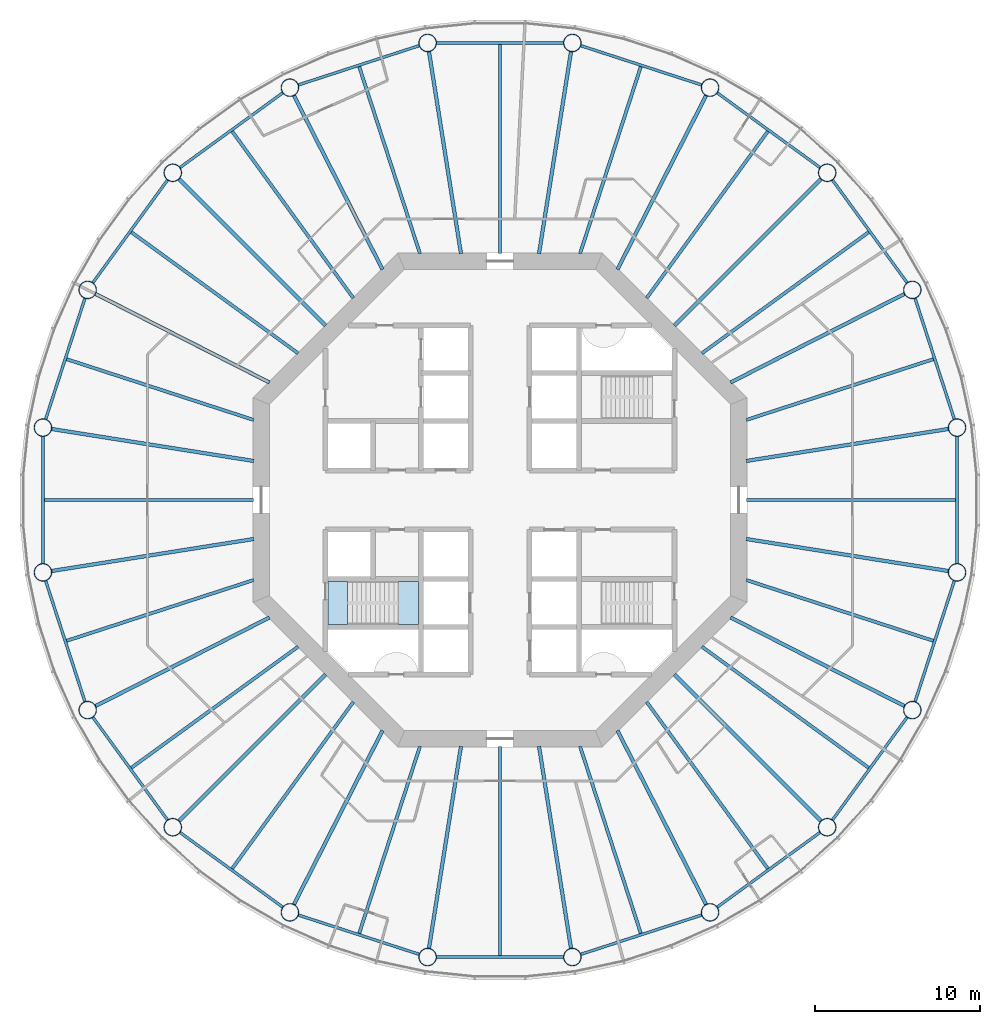
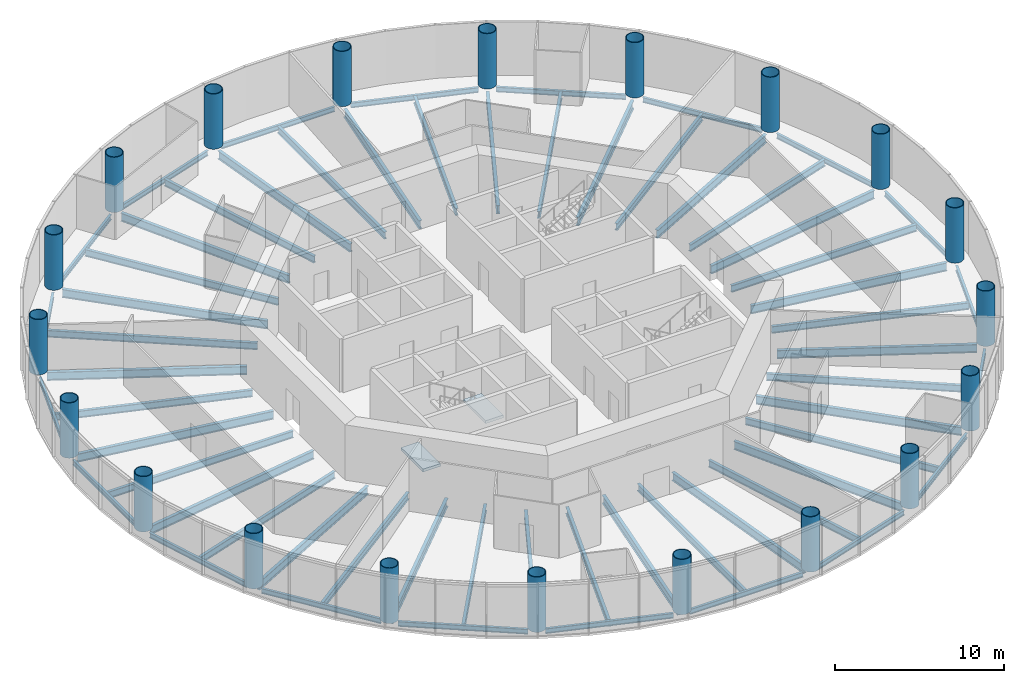
# One storey, part 1 of 13: 60 beams, 20 columns, 2 slabs, 1 element without a shape of its own.
"""IFC4 building model written with IfcOpenShell, lengths in metres."""

from ifc_helpers import new_model, si_unit, direction, frame, origin, origin_2d, place, context, subcontext, project, spatial, polyline, circle, hollow_circle, i_section, outline, extrude, material, layer, layer_set, material_profile, profile_set, type_object, element, aggregate, save


model = new_model("IFC4")

# Units and contexts
model_context = context("Model", 3, precision=1e-05, world=origin(), true_north=direction((0.0, 1.0)))
body_context = subcontext(model_context, "Body", "Model", "MODEL_VIEW")
ifc_project = project(units=[si_unit("LENGTHUNIT", "METRE"), si_unit("AREAUNIT", "SQUARE_METRE"), si_unit("VOLUMEUNIT", "CUBIC_METRE"), si_unit("PLANEANGLEUNIT", "RADIAN"), si_unit("MASSUNIT", "GRAM", prefix="KILO")], contexts=[model_context])

# Site, building, storey
site_placement = place(None, origin())
site = spatial("IfcSite", under=ifc_project, at=site_placement, CompositionType="ELEMENT")
building_placement = place(site_placement, origin())
building = spatial("IfcBuilding", under=site, at=building_placement, Name="Entoto Ring Tower", CompositionType="ELEMENT")
storey_placement = place(building_placement, frame((0.0, 0.0, 168.0)))
storey = spatial("IfcBuildingStorey", under=building, at=storey_placement, Name="L38", CompositionType="ELEMENT", Elevation=168.0)

# Columns
ifc_material_1 = material(Name="Steel S355", Category="steel")
ifc_material_profile_1 = material_profile(ifc_material_1, hollow_circle(Radius=0.550048828125, WallThickness=0.050048828125, at=origin_2d()), Name="CHS 1100 x 50")
ifc_material_2 = material(Name="Concrete C60/75", Category="concrete")
ifc_material_profile_2 = material_profile(ifc_material_2, circle(Radius=0.5, at=origin_2d()), Name="Concrete C60/75 infill")
ifc_profile_set_1 = profile_set([ifc_material_profile_1, ifc_material_profile_2], Name="Steel S355")
column_type = type_object("IfcColumnType", Name="Ring column 1100 x 50 concrete-filled tube", PredefinedType="COLUMN", material=ifc_profile_set_1)
for number, where, z_axis, x_axis, name in (
    (1, (117.754150390625, 84.395751953125, 0.0), (0.0, 0.0, 1.0), (1.0, 0.0, 0.0), "RC3 R01"),
    (2, (115.037353515625, 92.757080078125, 0.0), (0.0, 0.0, 1.0), (1.0, 0.0, 0.0), "RC3 R02"),
    (3, (109.86962890625, 99.86962890625, 0.0), (0.0, 0.0, 1.0), (1.0, 0.0, 0.0), "RC3 R03"),
    (4, (102.757080078125, 105.037353515625, 0.0), (0.0, 0.0, 1.0), (1.0, 0.0, 0.0), "RC3 R04"),
    (5, (94.395751953125, 107.754150390625, 0.0), (0.0, 0.0, 1.0), (1.0, 0.0, 0.0), "RC3 R05"),
    (6, (85.604248046875, 107.754150390625, 0.0), (0.0, 0.0, 1.0), (1.0, 0.0, 0.0), "RC3 R06"),
    (7, (77.242919921875, 105.037353515625, 0.0), (0.0, 0.0, 1.0), (1.0, 0.0, 0.0), "RC3 R07"),
    (8, (70.13037109375, 99.86962890625, 0.0), (0.0, 0.0, 1.0), (1.0, 0.0, 0.0), "RC3 R08"),
    (9, (64.962646484375, 92.757080078125, 0.0), (0.0, 0.0, 1.0), (1.0, 0.0, 0.0), "RC3 R09"),
    (10, (62.245849609375, 84.395751953125, 0.0), (0.0, 0.0, 1.0), (1.0, 0.0, 0.0), "RC3 R10"),
    (11, (62.245849609375, 75.604248046875, 0.0), (0.0, 0.0, 1.0), (1.0, 0.0, 0.0), "RC3 R11"),
    (12, (64.962646484375, 67.242919921875, 0.0), (0.0, 0.0, 1.0), (1.0, 0.0, 0.0), "RC3 R12"),
    (13, (70.13037109375, 60.13037109375, 0.0), (0.0, 0.0, 1.0), (1.0, 0.0, 0.0), "RC3 R13"),
    (14, (77.242919921875, 54.962646484375, 0.0), (0.0, 0.0, 1.0), (1.0, 0.0, 0.0), "RC3 R14"),
    (15, (85.604248046875, 52.245849609375, 0.0), (0.0, 0.0, 1.0), (1.0, 0.0, 0.0), "RC3 R15"),
    (16, (94.395751953125, 52.245849609375, 0.0), (0.0, 0.0, 1.0), (1.0, 0.0, 0.0), "RC3 R16"),
    (17, (102.757080078125, 54.962646484375, 0.0), (0.0, 0.0, 1.0), (1.0, 0.0, 0.0), "RC3 R17"),
    (18, (109.86962890625, 60.13037109375, 0.0), (0.0, 0.0, 1.0), (1.0, 0.0, 0.0), "RC3 R18"),
    (19, (115.037353515625, 67.242919921875, 0.0), (0.0, 0.0, 1.0), (1.0, 0.0, 0.0), "RC3 R19"),
    (20, (117.754150390625, 75.604248046875, 0.0), (0.0, 0.0, 1.0), (1.0, 0.0, 0.0), "RC3 R20"),
):
    element("IfcColumn", number, at=place(storey_placement, frame(where, z_axis=z_axis, x_axis=x_axis)), inside=storey, type_object=column_type, Name=name, PredefinedType="COLUMN", context=body_context, shape_type="SweptSolid", body=[
        extrude(hollow_circle(Radius=0.550048828125, WallThickness=0.050048828125, at=origin_2d()), origin(), (0.0, 0.0, 1.0), 4.0),
    ])

# Beams
ifc_material_3 = material(Name="Steel S355", Category="steel")
ifc_material_profile_3 = material_profile(ifc_material_3, i_section(OverallWidth=0.169921875, OverallDepth=0.360107421875, WebThickness=0.008056640625, FlangeThickness=0.0126953125, FilletRadius=0.01806640625, at=origin_2d()), Name="IPE 360")
ifc_profile_set_2 = profile_set([ifc_material_profile_3], Name="Steel S355")
beam_type_1 = type_object("IfcBeamType", Name="Edge beam IPE 360", PredefinedType="SPANDREL", material=ifc_profile_set_2)
for number, where, z_axis, x_axis, name in (
    (21, (117.59228515625, 84.8935546875, -0.330078125), (-0.309012656105, 0.951057925874, 0.0), (-0.951057925874, -0.309012656105, 0.0), "Edge beam L38 01"),
    (22, (114.729736328125, 93.180419921875, -0.330078125), (-0.587791153253, 0.809012707043, 0.0), (-0.809012707043, -0.587791153253, 0.0), "Edge beam L38 02"),
    (23, (109.4462890625, 100.17724609375, -0.330078125), (-0.809012707043, 0.587791153253, 0.0), (-0.587791153253, -0.809012707043, 0.0), "Edge beam L38 03"),
    (24, (102.259521484375, 105.198974609375, -0.330078125), (-0.951057925874, 0.309012656105, 0.0), (-0.309012656105, -0.951057925874, 0.0), "Edge beam L38 04"),
    (25, (93.87255859375, 107.754150390625, -0.330078125), (-1.0, 0.0, 0.0), (0.0, -1.0, 0.0), "Edge beam L38 05"),
    (26, (85.1064453125, 107.59228515625, -0.330078125), (-0.951057925874, -0.309012656105, 0.0), (0.309012656105, -0.951057925874, 0.0), "Edge beam L38 06"),
    (27, (76.819580078125, 104.729736328125, -0.330078125), (-0.809012707043, -0.587791153253, 0.0), (0.587791153253, -0.809012707043, 0.0), "Edge beam L38 07"),
    (28, (69.82275390625, 99.4462890625, -0.330078125), (-0.587791153253, -0.809012707043, 0.0), (0.809012707043, -0.587791153253, 0.0), "Edge beam L38 08"),
    (29, (64.801025390625, 92.259521484375, -0.330078125), (-0.309012656105, -0.951057925874, 0.0), (0.951057925874, -0.309012656105, 0.0), "Edge beam L38 09"),
    (30, (62.245849609375, 83.87255859375, -0.330078125), (0.0, -1.0, 0.0), (1.0, 0.0, 0.0), "Edge beam L38 10"),
    (31, (62.40771484375, 75.1064453125, -0.330078125), (0.309012656105, -0.951057925874, 0.0), (0.951057925874, 0.309012656105, 0.0), "Edge beam L38 11"),
    (32, (65.270263671875, 66.819580078125, -0.330078125), (0.587791153253, -0.809012707043, 0.0), (0.809012707043, 0.587791153253, 0.0), "Edge beam L38 12"),
    (33, (70.5537109375, 59.82275390625, -0.330078125), (0.809012707043, -0.587791153253, 0.0), (0.587791153253, 0.809012707043, 0.0), "Edge beam L38 13"),
    (34, (77.740478515625, 54.801025390625, -0.330078125), (0.951057925874, -0.309012656105, 0.0), (0.309012656105, 0.951057925874, 0.0), "Edge beam L38 14"),
    (35, (86.12744140625, 52.245849609375, -0.330078125), (1.0, 0.0, 0.0), (0.0, 1.0, 0.0), "Edge beam L38 15"),
    (36, (94.8935546875, 52.40771484375, -0.330078125), (0.951057925874, 0.309012656105, 0.0), (-0.309012656105, 0.951057925874, 0.0), "Edge beam L38 16"),
    (37, (103.180419921875, 55.270263671875, -0.330078125), (0.809012707043, 0.587791153253, 0.0), (-0.587791153253, 0.809012707043, 0.0), "Edge beam L38 17"),
    (38, (110.17724609375, 60.5537109375, -0.330078125), (0.587791153253, 0.809012707043, 0.0), (-0.809012707043, 0.587791153253, 0.0), "Edge beam L38 18"),
    (39, (115.198974609375, 67.740478515625, -0.330078125), (0.309012656105, 0.951057925874, 0.0), (-0.951057925874, 0.309012656105, 0.0), "Edge beam L38 19"),
    (40, (117.754150390625, 76.12744140625, -0.330078125), (0.0, 1.0, 0.0), (-1.0, 0.0, 0.0), "Edge beam L38 20"),
):
    element("IfcBeam", number, at=place(storey_placement, frame(where, z_axis=z_axis, x_axis=x_axis)), inside=storey, type_object=beam_type_1, Name=name, PredefinedType="SPANDREL", context=body_context, shape_type="SweptSolid", body=[
        extrude(i_section(OverallWidth=0.169921875, OverallDepth=0.360107421875, WebThickness=0.008056640625, FlangeThickness=0.0126953125, FilletRadius=0.01806640625, at=origin_2d()), origin(), (0.0, 0.0, 1.0), 7.7451171875),
    ])
ifc_material_4 = material(Name="Steel S355", Category="steel")
ifc_material_profile_4 = material_profile(ifc_material_4, i_section(OverallWidth=0.219970703125, OverallDepth=0.60009765625, WebThickness=0.011962890625, FlangeThickness=0.01904296875, FilletRadius=0.02392578125, at=origin_2d()), Name="IPE 600")
ifc_profile_set_3 = profile_set([ifc_material_profile_4], Name="Steel S355")
beam_type_2 = type_object("IfcBeamType", Name="Primary floor beam IPE 600", PredefinedType="BEAM", material=ifc_profile_set_3)
beam_1_placement = place(storey_placement, frame((104.963134765625, 82.369873046875, -0.449951171875), z_axis=(0.987687213789, 0.156441579247, 0.0), x_axis=(-0.156441579247, 0.987687213789, 0.0)))
element("IfcBeam", 41, at=beam_1_placement, inside=storey, type_object=beam_type_2, Name="Primary L38 R01", PredefinedType="BEAM", context=body_context, shape_type="SweptSolid", body=[
    extrude(i_section(OverallWidth=0.219970703125, OverallDepth=0.60009765625, WebThickness=0.011962890625, FlangeThickness=0.01904296875, FilletRadius=0.02392578125, at=origin_2d()), origin(), (0.0, 0.0, 1.0), 12.431640625),
])
beam_2_placement = place(storey_placement, frame((104.003173828125, 87.135009765625, -0.449951171875), z_axis=(0.891010444609, 0.453982805399, 0.0), x_axis=(-0.453982805399, 0.891010444609, 0.0)))
element("IfcBeam", 42, at=beam_2_placement, inside=storey, type_object=beam_type_2, Name="Primary L38 R02", PredefinedType="BEAM", context=body_context, shape_type="SweptSolid", body=[
    extrude(i_section(OverallWidth=0.219970703125, OverallDepth=0.60009765625, WebThickness=0.011962890625, FlangeThickness=0.01904296875, FilletRadius=0.02392578125, at=origin_2d()), origin(), (0.0, 0.0, 1.0), 11.864990234375),
])
beam_3_placement = place(storey_placement, frame((100.592529296875, 90.592529296875, -0.449951171875), z_axis=(0.707106781187, 0.707106781187, 0.0), x_axis=(-0.707106781187, 0.707106781187, 0.0)))
element("IfcBeam", 43, at=beam_3_placement, inside=storey, type_object=beam_type_2, Name="Primary L38 R03", PredefinedType="BEAM", context=body_context, shape_type="SweptSolid", body=[
    extrude(i_section(OverallWidth=0.219970703125, OverallDepth=0.60009765625, WebThickness=0.011962890625, FlangeThickness=0.01904296875, FilletRadius=0.02392578125, at=origin_2d()), origin(), (0.0, 0.0, 1.0), 12.601318359375),
])
beam_4_placement = place(storey_placement, frame((97.135009765625, 94.003173828125, -0.449951171875), z_axis=(0.453982805399, 0.891010444609, 0.0), x_axis=(-0.891010444609, 0.453982805399, 0.0)))
element("IfcBeam", 44, at=beam_4_placement, inside=storey, type_object=beam_type_2, Name="Primary L38 R04", PredefinedType="BEAM", context=body_context, shape_type="SweptSolid", body=[
    extrude(i_section(OverallWidth=0.219970703125, OverallDepth=0.60009765625, WebThickness=0.011962890625, FlangeThickness=0.01904296875, FilletRadius=0.02392578125, at=origin_2d()), origin(), (0.0, 0.0, 1.0), 11.864990234375),
])
for number, where, z_axis, x_axis, name in (
    (45, (92.369873046875, 94.963134765625, -0.449951171875), (0.156441579247, 0.987687213789, 0.0), (-0.987687213789, 0.156441579247, 0.0), "Primary L38 R05"),
    (46, (87.630126953125, 94.963134765625, -0.449951171875), (-0.156441579247, 0.987687213789, 0.0), (-0.987687213789, -0.156441579247, 0.0), "Primary L38 R06"),
):
    element("IfcBeam", number, at=place(storey_placement, frame(where, z_axis=z_axis, x_axis=x_axis)), inside=storey, type_object=beam_type_2, Name=name, PredefinedType="BEAM", context=body_context, shape_type="SweptSolid", body=[
        extrude(i_section(OverallWidth=0.219970703125, OverallDepth=0.60009765625, WebThickness=0.011962890625, FlangeThickness=0.01904296875, FilletRadius=0.02392578125, at=origin_2d()), origin(), (0.0, 0.0, 1.0), 12.431640625),
    ])
beam_5_placement = place(storey_placement, frame((82.864990234375, 94.003173828125, -0.449951171875), z_axis=(-0.453982805399, 0.891010444609, 0.0), x_axis=(-0.891010444609, -0.453982805399, 0.0)))
element("IfcBeam", 47, at=beam_5_placement, inside=storey, type_object=beam_type_2, Name="Primary L38 R07", PredefinedType="BEAM", context=body_context, shape_type="SweptSolid", body=[
    extrude(i_section(OverallWidth=0.219970703125, OverallDepth=0.60009765625, WebThickness=0.011962890625, FlangeThickness=0.01904296875, FilletRadius=0.02392578125, at=origin_2d()), origin(), (0.0, 0.0, 1.0), 11.864990234375),
])
beam_6_placement = place(storey_placement, frame((79.407470703125, 90.592529296875, -0.449951171875), z_axis=(-0.707106781187, 0.707106781187, 0.0), x_axis=(-0.707106781187, -0.707106781187, 0.0)))
element("IfcBeam", 48, at=beam_6_placement, inside=storey, type_object=beam_type_2, Name="Primary L38 R08", PredefinedType="BEAM", context=body_context, shape_type="SweptSolid", body=[
    extrude(i_section(OverallWidth=0.219970703125, OverallDepth=0.60009765625, WebThickness=0.011962890625, FlangeThickness=0.01904296875, FilletRadius=0.02392578125, at=origin_2d()), origin(), (0.0, 0.0, 1.0), 12.601318359375),
])
beam_7_placement = place(storey_placement, frame((75.996826171875, 87.135009765625, -0.449951171875), z_axis=(-0.891010444609, 0.453982805399, 0.0), x_axis=(-0.453982805399, -0.891010444609, 0.0)))
element("IfcBeam", 49, at=beam_7_placement, inside=storey, type_object=beam_type_2, Name="Primary L38 R09", PredefinedType="BEAM", context=body_context, shape_type="SweptSolid", body=[
    extrude(i_section(OverallWidth=0.219970703125, OverallDepth=0.60009765625, WebThickness=0.011962890625, FlangeThickness=0.01904296875, FilletRadius=0.02392578125, at=origin_2d()), origin(), (0.0, 0.0, 1.0), 11.864990234375),
])
for number, where, z_axis, x_axis, name in (
    (50, (75.036865234375, 82.369873046875, -0.449951171875), (-0.987687213789, 0.156441579247, 0.0), (-0.156441579247, -0.987687213789, 0.0), "Primary L38 R10"),
    (51, (75.036865234375, 77.630126953125, -0.449951171875), (-0.987687213789, -0.156441579247, 0.0), (0.156441579247, -0.987687213789, 0.0), "Primary L38 R11"),
):
    element("IfcBeam", number, at=place(storey_placement, frame(where, z_axis=z_axis, x_axis=x_axis)), inside=storey, type_object=beam_type_2, Name=name, PredefinedType="BEAM", context=body_context, shape_type="SweptSolid", body=[
        extrude(i_section(OverallWidth=0.219970703125, OverallDepth=0.60009765625, WebThickness=0.011962890625, FlangeThickness=0.01904296875, FilletRadius=0.02392578125, at=origin_2d()), origin(), (0.0, 0.0, 1.0), 12.431640625),
    ])
beam_8_placement = place(storey_placement, frame((75.996826171875, 72.864990234375, -0.449951171875), z_axis=(-0.891010444609, -0.453982805399, 0.0), x_axis=(0.453982805399, -0.891010444609, 0.0)))
element("IfcBeam", 52, at=beam_8_placement, inside=storey, type_object=beam_type_2, Name="Primary L38 R12", PredefinedType="BEAM", context=body_context, shape_type="SweptSolid", body=[
    extrude(i_section(OverallWidth=0.219970703125, OverallDepth=0.60009765625, WebThickness=0.011962890625, FlangeThickness=0.01904296875, FilletRadius=0.02392578125, at=origin_2d()), origin(), (0.0, 0.0, 1.0), 11.864990234375),
])
beam_9_placement = place(storey_placement, frame((79.407470703125, 69.407470703125, -0.449951171875), z_axis=(-0.707106781187, -0.707106781187, 0.0), x_axis=(0.707106781187, -0.707106781187, 0.0)))
element("IfcBeam", 53, at=beam_9_placement, inside=storey, type_object=beam_type_2, Name="Primary L38 R13", PredefinedType="BEAM", context=body_context, shape_type="SweptSolid", body=[
    extrude(i_section(OverallWidth=0.219970703125, OverallDepth=0.60009765625, WebThickness=0.011962890625, FlangeThickness=0.01904296875, FilletRadius=0.02392578125, at=origin_2d()), origin(), (0.0, 0.0, 1.0), 12.601318359375),
])
beam_10_placement = place(storey_placement, frame((82.864990234375, 65.996826171875, -0.449951171875), z_axis=(-0.453982805399, -0.891010444609, 0.0), x_axis=(0.891010444609, -0.453982805399, 0.0)))
element("IfcBeam", 54, at=beam_10_placement, inside=storey, type_object=beam_type_2, Name="Primary L38 R14", PredefinedType="BEAM", context=body_context, shape_type="SweptSolid", body=[
    extrude(i_section(OverallWidth=0.219970703125, OverallDepth=0.60009765625, WebThickness=0.011962890625, FlangeThickness=0.01904296875, FilletRadius=0.02392578125, at=origin_2d()), origin(), (0.0, 0.0, 1.0), 11.864990234375),
])
for number, where, z_axis, x_axis, name in (
    (55, (87.630126953125, 65.036865234375, -0.449951171875), (-0.156441579247, -0.987687213789, 0.0), (0.987687213789, -0.156441579247, 0.0), "Primary L38 R15"),
    (56, (92.369873046875, 65.036865234375, -0.449951171875), (0.156441579247, -0.987687213789, 0.0), (0.987687213789, 0.156441579247, 0.0), "Primary L38 R16"),
):
    element("IfcBeam", number, at=place(storey_placement, frame(where, z_axis=z_axis, x_axis=x_axis)), inside=storey, type_object=beam_type_2, Name=name, PredefinedType="BEAM", context=body_context, shape_type="SweptSolid", body=[
        extrude(i_section(OverallWidth=0.219970703125, OverallDepth=0.60009765625, WebThickness=0.011962890625, FlangeThickness=0.01904296875, FilletRadius=0.02392578125, at=origin_2d()), origin(), (0.0, 0.0, 1.0), 12.431640625),
    ])
beam_11_placement = place(storey_placement, frame((97.135009765625, 65.996826171875, -0.449951171875), z_axis=(0.453982805399, -0.891010444609, 0.0), x_axis=(0.891010444609, 0.453982805399, 0.0)))
element("IfcBeam", 57, at=beam_11_placement, inside=storey, type_object=beam_type_2, Name="Primary L38 R17", PredefinedType="BEAM", context=body_context, shape_type="SweptSolid", body=[
    extrude(i_section(OverallWidth=0.219970703125, OverallDepth=0.60009765625, WebThickness=0.011962890625, FlangeThickness=0.01904296875, FilletRadius=0.02392578125, at=origin_2d()), origin(), (0.0, 0.0, 1.0), 11.864990234375),
])
beam_12_placement = place(storey_placement, frame((100.592529296875, 69.407470703125, -0.449951171875), z_axis=(0.707106781187, -0.707106781187, 0.0), x_axis=(0.707106781187, 0.707106781187, 0.0)))
element("IfcBeam", 58, at=beam_12_placement, inside=storey, type_object=beam_type_2, Name="Primary L38 R18", PredefinedType="BEAM", context=body_context, shape_type="SweptSolid", body=[
    extrude(i_section(OverallWidth=0.219970703125, OverallDepth=0.60009765625, WebThickness=0.011962890625, FlangeThickness=0.01904296875, FilletRadius=0.02392578125, at=origin_2d()), origin(), (0.0, 0.0, 1.0), 12.601318359375),
])
beam_13_placement = place(storey_placement, frame((104.003173828125, 72.864990234375, -0.449951171875), z_axis=(0.891010444609, -0.453982805399, 0.0), x_axis=(0.453982805399, 0.891010444609, 0.0)))
element("IfcBeam", 59, at=beam_13_placement, inside=storey, type_object=beam_type_2, Name="Primary L38 R19", PredefinedType="BEAM", context=body_context, shape_type="SweptSolid", body=[
    extrude(i_section(OverallWidth=0.219970703125, OverallDepth=0.60009765625, WebThickness=0.011962890625, FlangeThickness=0.01904296875, FilletRadius=0.02392578125, at=origin_2d()), origin(), (0.0, 0.0, 1.0), 11.864990234375),
])
beam_14_placement = place(storey_placement, frame((104.963134765625, 77.630126953125, -0.449951171875), z_axis=(0.987687213789, -0.156441579247, 0.0), x_axis=(0.156441579247, 0.987687213789, 0.0)))
element("IfcBeam", 60, at=beam_14_placement, inside=storey, type_object=beam_type_2, Name="Primary L38 R20", PredefinedType="BEAM", context=body_context, shape_type="SweptSolid", body=[
    extrude(i_section(OverallWidth=0.219970703125, OverallDepth=0.60009765625, WebThickness=0.011962890625, FlangeThickness=0.01904296875, FilletRadius=0.02392578125, at=origin_2d()), origin(), (0.0, 0.0, 1.0), 12.431640625),
])
ifc_material_5 = material(Name="Steel S355", Category="steel")
ifc_material_profile_5 = material_profile(ifc_material_5, i_section(OverallWidth=0.199951171875, OverallDepth=0.5, WebThickness=0.01025390625, FlangeThickness=0.01611328125, FilletRadius=0.02099609375, at=origin_2d()), Name="IPE 500")
ifc_profile_set_4 = profile_set([ifc_material_profile_5], Name="Steel S355")
beam_type_3 = type_object("IfcBeamType", Name="Secondary floor beam IPE 500", PredefinedType="JOIST", material=ifc_profile_set_4)
beam_15_placement = place(storey_placement, frame((104.9501953125, 84.857666015625, -0.39990234375), z_axis=(0.951056587506, 0.30901677521, 0.0), x_axis=(-0.30901677521, 0.951056587506, 0.0)))
element("IfcBeam", 61, at=beam_15_placement, inside=storey, type_object=beam_type_3, Name="Secondary beam L38 01", PredefinedType="JOIST", context=body_context, shape_type="SweptSolid", body=[
    extrude(i_section(OverallWidth=0.199951171875, OverallDepth=0.5, WebThickness=0.01025390625, FlangeThickness=0.01611328125, FilletRadius=0.02099609375, at=origin_2d()), origin(), (0.0, 0.0, 1.0), 11.94970703125),
])
for number, where, z_axis, x_axis, name in (
    (62, (102.257568359375, 88.905517578125, -0.39990234375), (0.80901431041, 0.587788946436, 0.0), (-0.587788946436, 0.80901431041, 0.0), "Secondary beam L38 02"),
    (63, (98.905517578125, 92.257568359375, -0.39990234375), (0.587788946436, 0.80901431041, 0.0), (-0.80901431041, 0.587788946436, 0.0), "Secondary beam L38 03"),
):
    element("IfcBeam", number, at=place(storey_placement, frame(where, z_axis=z_axis, x_axis=x_axis)), inside=storey, type_object=beam_type_3, Name=name, PredefinedType="JOIST", context=body_context, shape_type="SweptSolid", body=[
        extrude(i_section(OverallWidth=0.199951171875, OverallDepth=0.5, WebThickness=0.01025390625, FlangeThickness=0.01611328125, FilletRadius=0.02099609375, at=origin_2d()), origin(), (0.0, 0.0, 1.0), 12.51806640625),
    ])
beam_16_placement = place(storey_placement, frame((94.857666015625, 94.9501953125, -0.39990234375), z_axis=(0.30901677521, 0.951056587506, 0.0), x_axis=(-0.951056587506, 0.30901677521, 0.0)))
element("IfcBeam", 64, at=beam_16_placement, inside=storey, type_object=beam_type_3, Name="Secondary beam L38 04", PredefinedType="JOIST", context=body_context, shape_type="SweptSolid", body=[
    extrude(i_section(OverallWidth=0.199951171875, OverallDepth=0.5, WebThickness=0.01025390625, FlangeThickness=0.01611328125, FilletRadius=0.02099609375, at=origin_2d()), origin(), (0.0, 0.0, 1.0), 11.94970703125),
])
beam_17_placement = place(storey_placement, frame((90.0, 94.97998046875, -0.39990234375), z_axis=(0.0, 1.0, 0.0), x_axis=(-1.0, 0.0, 0.0)))
element("IfcBeam", 65, at=beam_17_placement, inside=storey, type_object=beam_type_3, Name="Secondary beam L38 05", PredefinedType="JOIST", context=body_context, shape_type="SweptSolid", body=[
    extrude(i_section(OverallWidth=0.199951171875, OverallDepth=0.5, WebThickness=0.01025390625, FlangeThickness=0.01611328125, FilletRadius=0.02099609375, at=origin_2d()), origin(), (0.0, 0.0, 1.0), 12.68896484375),
])
beam_18_placement = place(storey_placement, frame((85.142333984375, 94.9501953125, -0.39990234375), z_axis=(-0.30901677521, 0.951056587506, 0.0), x_axis=(-0.951056587506, -0.30901677521, 0.0)))
element("IfcBeam", 66, at=beam_18_placement, inside=storey, type_object=beam_type_3, Name="Secondary beam L38 06", PredefinedType="JOIST", context=body_context, shape_type="SweptSolid", body=[
    extrude(i_section(OverallWidth=0.199951171875, OverallDepth=0.5, WebThickness=0.01025390625, FlangeThickness=0.01611328125, FilletRadius=0.02099609375, at=origin_2d()), origin(), (0.0, 0.0, 1.0), 11.94970703125),
])
for number, where, z_axis, x_axis, name in (
    (67, (81.094482421875, 92.257568359375, -0.39990234375), (-0.587788946436, 0.80901431041, 0.0), (-0.80901431041, -0.587788946436, 0.0), "Secondary beam L38 07"),
    (68, (77.742431640625, 88.905517578125, -0.39990234375), (-0.80901431041, 0.587788946436, 0.0), (-0.587788946436, -0.80901431041, 0.0), "Secondary beam L38 08"),
):
    element("IfcBeam", number, at=place(storey_placement, frame(where, z_axis=z_axis, x_axis=x_axis)), inside=storey, type_object=beam_type_3, Name=name, PredefinedType="JOIST", context=body_context, shape_type="SweptSolid", body=[
        extrude(i_section(OverallWidth=0.199951171875, OverallDepth=0.5, WebThickness=0.01025390625, FlangeThickness=0.01611328125, FilletRadius=0.02099609375, at=origin_2d()), origin(), (0.0, 0.0, 1.0), 12.51806640625),
    ])
beam_19_placement = place(storey_placement, frame((75.0498046875, 84.857666015625, -0.39990234375), z_axis=(-0.951056587506, 0.30901677521, 0.0), x_axis=(-0.30901677521, -0.951056587506, 0.0)))
element("IfcBeam", 69, at=beam_19_placement, inside=storey, type_object=beam_type_3, Name="Secondary beam L38 09", PredefinedType="JOIST", context=body_context, shape_type="SweptSolid", body=[
    extrude(i_section(OverallWidth=0.199951171875, OverallDepth=0.5, WebThickness=0.01025390625, FlangeThickness=0.01611328125, FilletRadius=0.02099609375, at=origin_2d()), origin(), (0.0, 0.0, 1.0), 11.94970703125),
])
beam_20_placement = place(storey_placement, frame((75.02001953125, 80.0, -0.39990234375), z_axis=(-1.0, 0.0, 0.0), x_axis=(0.0, -1.0, 0.0)))
element("IfcBeam", 70, at=beam_20_placement, inside=storey, type_object=beam_type_3, Name="Secondary beam L38 10", PredefinedType="JOIST", context=body_context, shape_type="SweptSolid", body=[
    extrude(i_section(OverallWidth=0.199951171875, OverallDepth=0.5, WebThickness=0.01025390625, FlangeThickness=0.01611328125, FilletRadius=0.02099609375, at=origin_2d()), origin(), (0.0, 0.0, 1.0), 12.68896484375),
])
beam_21_placement = place(storey_placement, frame((75.0498046875, 75.142333984375, -0.39990234375), z_axis=(-0.951056587506, -0.30901677521, 0.0), x_axis=(0.30901677521, -0.951056587506, 0.0)))
element("IfcBeam", 71, at=beam_21_placement, inside=storey, type_object=beam_type_3, Name="Secondary beam L38 11", PredefinedType="JOIST", context=body_context, shape_type="SweptSolid", body=[
    extrude(i_section(OverallWidth=0.199951171875, OverallDepth=0.5, WebThickness=0.01025390625, FlangeThickness=0.01611328125, FilletRadius=0.02099609375, at=origin_2d()), origin(), (0.0, 0.0, 1.0), 11.94970703125),
])
for number, where, z_axis, x_axis, name in (
    (72, (77.742431640625, 71.094482421875, -0.39990234375), (-0.80901431041, -0.587788946436, 0.0), (0.587788946436, -0.80901431041, 0.0), "Secondary beam L38 12"),
    (73, (81.094482421875, 67.742431640625, -0.39990234375), (-0.587788946436, -0.80901431041, 0.0), (0.80901431041, -0.587788946436, 0.0), "Secondary beam L38 13"),
):
    element("IfcBeam", number, at=place(storey_placement, frame(where, z_axis=z_axis, x_axis=x_axis)), inside=storey, type_object=beam_type_3, Name=name, PredefinedType="JOIST", context=body_context, shape_type="SweptSolid", body=[
        extrude(i_section(OverallWidth=0.199951171875, OverallDepth=0.5, WebThickness=0.01025390625, FlangeThickness=0.01611328125, FilletRadius=0.02099609375, at=origin_2d()), origin(), (0.0, 0.0, 1.0), 12.51806640625),
    ])
beam_22_placement = place(storey_placement, frame((85.142333984375, 65.0498046875, -0.39990234375), z_axis=(-0.30901677521, -0.951056587506, 0.0), x_axis=(0.951056587506, -0.30901677521, 0.0)))
element("IfcBeam", 74, at=beam_22_placement, inside=storey, type_object=beam_type_3, Name="Secondary beam L38 14", PredefinedType="JOIST", context=body_context, shape_type="SweptSolid", body=[
    extrude(i_section(OverallWidth=0.199951171875, OverallDepth=0.5, WebThickness=0.01025390625, FlangeThickness=0.01611328125, FilletRadius=0.02099609375, at=origin_2d()), origin(), (0.0, 0.0, 1.0), 11.94970703125),
])
beam_23_placement = place(storey_placement, frame((90.0, 65.02001953125, -0.39990234375), z_axis=(0.0, -1.0, 0.0), x_axis=(1.0, 0.0, 0.0)))
element("IfcBeam", 75, at=beam_23_placement, inside=storey, type_object=beam_type_3, Name="Secondary beam L38 15", PredefinedType="JOIST", context=body_context, shape_type="SweptSolid", body=[
    extrude(i_section(OverallWidth=0.199951171875, OverallDepth=0.5, WebThickness=0.01025390625, FlangeThickness=0.01611328125, FilletRadius=0.02099609375, at=origin_2d()), origin(), (0.0, 0.0, 1.0), 12.68896484375),
])
beam_24_placement = place(storey_placement, frame((94.857666015625, 65.0498046875, -0.39990234375), z_axis=(0.30901677521, -0.951056587506, 0.0), x_axis=(0.951056587506, 0.30901677521, 0.0)))
element("IfcBeam", 76, at=beam_24_placement, inside=storey, type_object=beam_type_3, Name="Secondary beam L38 16", PredefinedType="JOIST", context=body_context, shape_type="SweptSolid", body=[
    extrude(i_section(OverallWidth=0.199951171875, OverallDepth=0.5, WebThickness=0.01025390625, FlangeThickness=0.01611328125, FilletRadius=0.02099609375, at=origin_2d()), origin(), (0.0, 0.0, 1.0), 11.94970703125),
])
for number, where, z_axis, x_axis, name in (
    (77, (98.905517578125, 67.742431640625, -0.39990234375), (0.587788946436, -0.80901431041, 0.0), (0.80901431041, 0.587788946436, 0.0), "Secondary beam L38 17"),
    (78, (102.257568359375, 71.094482421875, -0.39990234375), (0.80901431041, -0.587788946436, 0.0), (0.587788946436, 0.80901431041, 0.0), "Secondary beam L38 18"),
):
    element("IfcBeam", number, at=place(storey_placement, frame(where, z_axis=z_axis, x_axis=x_axis)), inside=storey, type_object=beam_type_3, Name=name, PredefinedType="JOIST", context=body_context, shape_type="SweptSolid", body=[
        extrude(i_section(OverallWidth=0.199951171875, OverallDepth=0.5, WebThickness=0.01025390625, FlangeThickness=0.01611328125, FilletRadius=0.02099609375, at=origin_2d()), origin(), (0.0, 0.0, 1.0), 12.51806640625),
    ])
beam_25_placement = place(storey_placement, frame((104.9501953125, 75.142333984375, -0.39990234375), z_axis=(0.951056587506, -0.30901677521, 0.0), x_axis=(0.30901677521, 0.951056587506, 0.0)))
element("IfcBeam", 79, at=beam_25_placement, inside=storey, type_object=beam_type_3, Name="Secondary beam L38 19", PredefinedType="JOIST", context=body_context, shape_type="SweptSolid", body=[
    extrude(i_section(OverallWidth=0.199951171875, OverallDepth=0.5, WebThickness=0.01025390625, FlangeThickness=0.01611328125, FilletRadius=0.02099609375, at=origin_2d()), origin(), (0.0, 0.0, 1.0), 11.94970703125),
])
beam_26_placement = place(storey_placement, frame((104.97998046875, 80.0, -0.39990234375), z_axis=(1.0, 0.0, 0.0), x_axis=(0.0, 1.0, 0.0)))
element("IfcBeam", 80, at=beam_26_placement, inside=storey, type_object=beam_type_3, Name="Secondary beam L38 20", PredefinedType="JOIST", context=body_context, shape_type="SweptSolid", body=[
    extrude(i_section(OverallWidth=0.199951171875, OverallDepth=0.5, WebThickness=0.01025390625, FlangeThickness=0.01611328125, FilletRadius=0.02099609375, at=origin_2d()), origin(), (0.0, 0.0, 1.0), 12.68896484375),
])

# Stair, slabs
ifc_material_6 = material(Name="Concrete C40/50", Category="concrete")
stair_type = type_object("IfcStairType", Name="Exit stair 1200 mm dog-leg reinforced concrete", PredefinedType="HALF_TURN_STAIR", material=ifc_material_6)
stair_placement = place(storey_placement, origin())
stair = element("IfcStair", 81, at=stair_placement, inside=storey, type_object=stair_type, Name="Exit stair 2", PredefinedType="HALF_TURN_STAIR")
ifc_material_7 = material(Name="Concrete C40/50", Category="concrete")
ifc_layer = layer(ifc_material_7, 0.199951171875)
ifc_layer_set = layer_set([ifc_layer], Name="Concrete C40/50")
slab_type = type_object("IfcSlabType", Name="Stair landing 200 mm reinforced concrete", PredefinedType="LANDING", material=ifc_layer_set)
slab_1_placement = place(storey_placement, frame((0.0, 0.0, -0.199951171875)))
slab_1 = element("IfcSlab", 82, at=slab_1_placement, type_object=slab_type, Name="ST2 landing 1", PredefinedType="LANDING", context=body_context, shape_type="SweptSolid", body=[
    extrude(outline(polyline([(80.75, 72.449951171875), (80.75, 75.050048828125), (79.550048828125, 75.050048828125), (79.550048828125, 72.449951171875), (80.75, 72.449951171875)])), origin(), (0.0, 0.0, 1.0), 0.199951171875),
])
slab_2_placement = place(storey_placement, frame((0.0, 0.0, 1.800048828125)))
slab_2 = element("IfcSlab", 83, at=slab_2_placement, type_object=slab_type, Name="ST2 landing 2", PredefinedType="LANDING", context=body_context, shape_type="SweptSolid", body=[
    extrude(outline(polyline([(83.830078125, 72.449951171875), (85.050048828125, 72.449951171875), (85.050048828125, 75.050048828125), (83.830078125, 75.050048828125), (83.830078125, 72.449951171875)])), origin(), (0.0, 0.0, 1.0), 0.199951171875),
])
aggregate(stair, [slab_1, slab_2])

save(model, "model.ifc")
